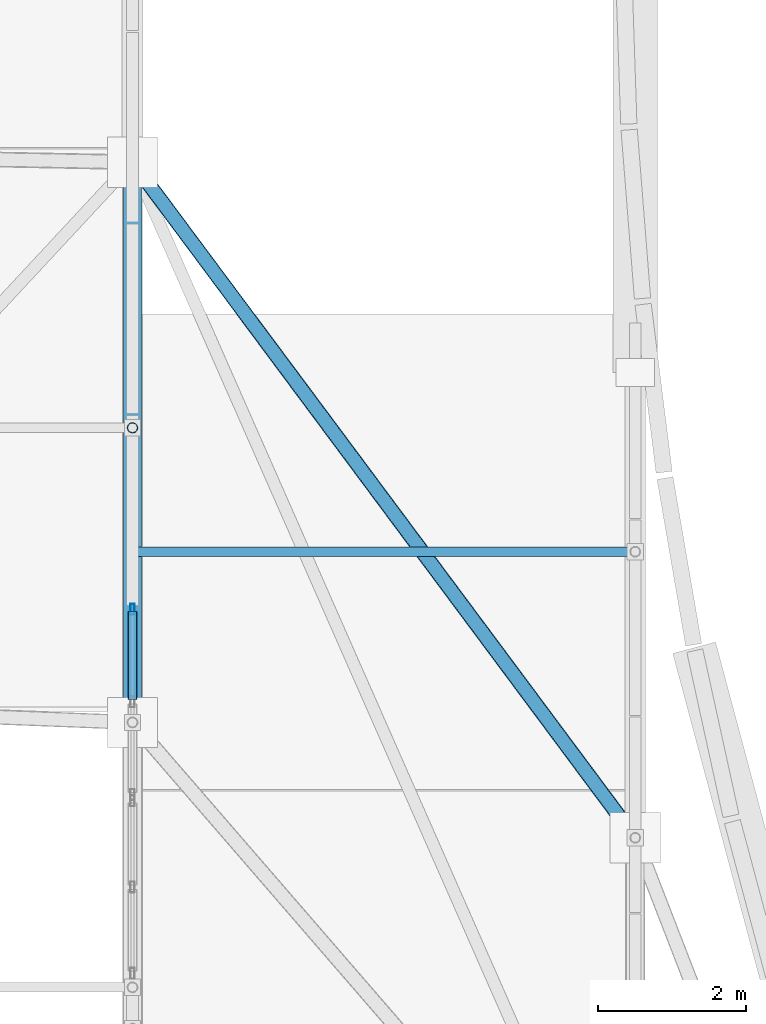
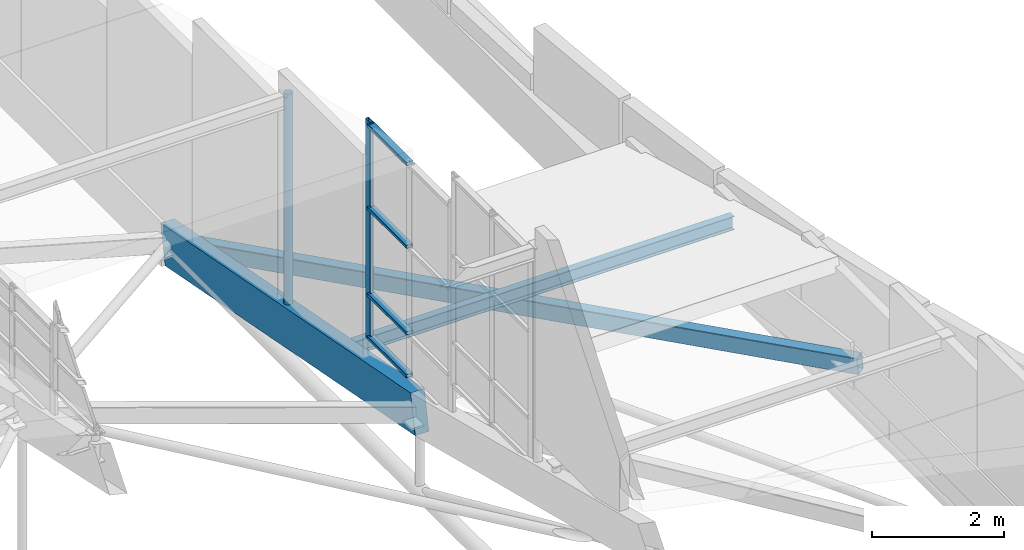
# One storey, part 60 of 188: 9 members, 1 element without a shape of its own.
"""IFC4 building model written with IfcOpenShell, lengths in metres."""

from ifc_helpers import new_model, si_unit, direction, frame, origin, origin_2d, place, context, subcontext, project, spatial, rectangle, hollow_rectangle, hollow_circle, i_section, extrude, material, layer, layer_set, material_profile, profile_set, type_object, element, aggregate, save


model = new_model("IFC4")

# Units and contexts
model_context = context("Model", 3, precision=1e-05, world=origin(), true_north=direction((0.0, 1.0)))
body_context = subcontext(model_context, "Body", "Model", "MODEL_VIEW")
ifc_project = project(units=[si_unit("LENGTHUNIT", "METRE"), si_unit("AREAUNIT", "SQUARE_METRE"), si_unit("VOLUMEUNIT", "CUBIC_METRE"), si_unit("PLANEANGLEUNIT", "RADIAN"), si_unit("MASSUNIT", "GRAM", prefix="KILO")], contexts=[model_context])

# Site, building, storey
site_placement = place(None, origin())
site = spatial("IfcSite", under=ifc_project, at=site_placement, CompositionType="ELEMENT")
building_placement = place(site_placement, origin())
building = spatial("IfcBuilding", under=site, at=building_placement, Name="Kisaragi Civic Commons", CompositionType="ELEMENT")
storey_placement = place(building_placement, frame((0.0, 0.0, 9.60009765625)))
storey = spatial("IfcBuildingStorey", under=building, at=storey_placement, Name="L02", CompositionType="ELEMENT", Elevation=9.60009765625)

# Curtain wall, members
ifc_material_1 = material(Name="Thermally broken anodized aluminium and low-E double glazing", Category="aluminium")
ifc_layer = layer(ifc_material_1, 0.14990234375, Name="Thermally broken anodized aluminium and low-E double glazing", Category="aluminium")
ifc_layer_set = layer_set([ifc_layer], Name="Thermally broken anodized aluminium and low-E double glazing")
curtain_wall_type = type_object("IfcCurtainWallType", Name="CW-03", PredefinedType="NOTDEFINED", material=ifc_layer_set)
curtain_wall_placement = place(storey_placement, origin())
curtain_wall = element("IfcCurtainWall", 1, at=curtain_wall_placement, inside=storey, type_object=curtain_wall_type, Name="L02 curtain wall CW-03 CW-CL-V1-163", PredefinedType="NOTDEFINED")
ifc_material_profile_1 = material_profile(ifc_material_1, hollow_rectangle(XDim=0.06005859375, YDim=0.14990234375, WallThickness=0.00390625, InnerFilletRadius=0.00390625, OuterFilletRadius=0.008056640625, at=origin_2d()), Name="CWM-60x150x4", Category="aluminium")
ifc_profile_set_1 = profile_set([ifc_material_profile_1], Name="Thermally broken anodized aluminium and low-E double glazing")
member_type_1 = type_object("IfcMemberType", Name="CWM-01", PredefinedType="MULLION", material=ifc_profile_set_1)
member_1_placement = place(storey_placement, frame((20.39990234375, 48.775634765625, 1.3857421875), z_axis=(0.0, 0.0, 1.0), x_axis=(-1.0, 0.0, 0.0)))
member_1 = element("IfcMember", 2, at=member_1_placement, type_object=member_type_1, Name="CW-03 mullion 3", PredefinedType="MULLION", context=body_context, shape_type="SweptSolid", body=[
    extrude(hollow_rectangle(XDim=0.06005859375, YDim=0.14990234375, WallThickness=0.00390625, InnerFilletRadius=0.00390625, OuterFilletRadius=0.008056640625, at=origin_2d()), origin(), (0.0, 0.0, 1.0), 4.0419921875),
])
ifc_material_profile_2 = material_profile(ifc_material_1, hollow_rectangle(XDim=0.1201171875, YDim=0.06005859375, WallThickness=0.00390625, InnerFilletRadius=0.00390625, OuterFilletRadius=0.008056640625, at=origin_2d()), Name="CWT-60x120x4", Category="aluminium")
ifc_profile_set_2 = profile_set([ifc_material_profile_2], Name="Thermally broken anodized aluminium and low-E double glazing")
member_type_2 = type_object("IfcMemberType", Name="CWT-01", PredefinedType="USERDEFINED", material=ifc_profile_set_2)
member_2_placement = place(storey_placement, frame((20.39990234375, 47.552490234375, 1.44580078125), z_axis=(0.0, 1.0, 0.0), x_axis=(-1.0, 0.0, 0.0)))
member_2 = element("IfcMember", 3, at=member_2_placement, type_object=member_type_2, Name="CW-03 transom 2.1", ObjectType="TRANSOM", PredefinedType="USERDEFINED", context=body_context, shape_type="SweptSolid", body=[
    extrude(hollow_rectangle(XDim=0.1201171875, YDim=0.06005859375, WallThickness=0.00390625, InnerFilletRadius=0.00390625, OuterFilletRadius=0.008056640625, at=origin_2d()), origin(), (0.0, 0.0, 1.0), 1.193115234375),
])
member_3_placement = place(storey_placement, frame((20.39990234375, 47.552490234375, 2.23583984375), z_axis=(0.0, 1.0, 0.0), x_axis=(-1.0, 0.0, 0.0)))
member_3 = element("IfcMember", 4, at=member_3_placement, type_object=member_type_2, Name="CW-03 transom 2.2", ObjectType="TRANSOM", PredefinedType="USERDEFINED", context=body_context, shape_type="SweptSolid", body=[
    extrude(hollow_rectangle(XDim=0.1201171875, YDim=0.06005859375, WallThickness=0.00390625, InnerFilletRadius=0.00390625, OuterFilletRadius=0.008056640625, at=origin_2d()), origin(), (0.0, 0.0, 1.0), 1.193115234375),
])
member_4_placement = place(storey_placement, frame((20.39990234375, 47.552490234375, 3.835693359375), z_axis=(0.0, 1.0, 0.0), x_axis=(-1.0, 0.0, 0.0)))
member_4 = element("IfcMember", 5, at=member_4_placement, type_object=member_type_2, Name="CW-03 transom 2.3", ObjectType="TRANSOM", PredefinedType="USERDEFINED", context=body_context, shape_type="SweptSolid", body=[
    extrude(hollow_rectangle(XDim=0.1201171875, YDim=0.06005859375, WallThickness=0.00390625, InnerFilletRadius=0.00390625, OuterFilletRadius=0.008056640625, at=origin_2d()), origin(), (0.0, 0.0, 1.0), 1.193115234375),
])
member_5_placement = place(storey_placement, frame((20.39990234375, 47.552490234375, 5.367919921875), z_axis=(0.0, 1.0, 0.0), x_axis=(-1.0, 0.0, 0.0)))
member_5 = element("IfcMember", 6, at=member_5_placement, type_object=member_type_2, Name="CW-03 transom 2.4", ObjectType="TRANSOM", PredefinedType="USERDEFINED", context=body_context, shape_type="SweptSolid", body=[
    extrude(hollow_rectangle(XDim=0.1201171875, YDim=0.06005859375, WallThickness=0.00390625, InnerFilletRadius=0.00390625, OuterFilletRadius=0.008056640625, at=origin_2d()), origin(), (0.0, 0.0, 1.0), 1.193115234375),
])
aggregate(curtain_wall, [member_1, member_2, member_3, member_4, member_5])

# Members
ifc_material_2 = material(Name="Steel SN490 (SN490B)", Category="steel")
ifc_material_profile_3 = material_profile(ifc_material_2, hollow_rectangle(XDim=0.199951171875, YDim=0.300048828125, WallThickness=0.009033203125, InnerFilletRadius=0.009033203125, OuterFilletRadius=0.01806640625, at=origin_2d()), Name="STKR-300x200x9", Category="steel")
ifc_profile_set_3 = profile_set([ifc_material_profile_3], Name="Steel SN490 (SN490B)")
member_type_3 = type_object("IfcMemberType", Name="GC-02", PredefinedType="CHORD", material=ifc_profile_set_3)
member_6_placement = place(storey_placement, frame((20.39990234375, 54.822509765625, -0.49951171875), z_axis=(0.595066779457, -0.79967506391, 0.080095693684), x_axis=(0.802252557923, 0.59698478482, 0.0)))
element("IfcMember", 7, at=member_6_placement, inside=storey, type_object=member_type_3, Name="V1 wave gridshell chord GC-02 28", PredefinedType="CHORD", context=body_context, shape_type="SweptSolid", body=[
    extrude(hollow_rectangle(XDim=0.199951171875, YDim=0.300048828125, WallThickness=0.009033203125, InnerFilletRadius=0.009033203125, OuterFilletRadius=0.01806640625, at=origin_2d()), origin(), (0.0, 0.0, 1.0), 11.427490234375),
])
ifc_material_3 = material(Name="Glulam E120-F330", Category="wood")
ifc_material_profile_4 = material_profile(ifc_material_3, rectangle(XDim=0.239990234375, YDim=0.719970703125, at=origin_2d()), Name="GL-240x720", Category="wood")
ifc_profile_set_4 = profile_set([ifc_material_profile_4], Name="Glulam E120-F330")
member_type_4 = type_object("IfcMemberType", Name="GR-02", PredefinedType="RAFTER", material=ifc_profile_set_4)
member_7_placement = place(storey_placement, frame((20.39990234375, 47.2451171875, 0.951904296875), z_axis=(0.0, 0.982144992407, -0.188125526947), x_axis=(-1.0, 0.0, 0.0)))
element("IfcMember", 8, at=member_7_placement, inside=storey, type_object=member_type_4, Name="V1 glulam arch rib GR-02 31", PredefinedType="RAFTER", context=body_context, shape_type="SweptSolid", body=[
    extrude(rectangle(XDim=0.239990234375, YDim=0.719970703125, at=origin_2d()), origin(), (0.0, 0.0, 1.0), 7.715087890625),
])
ifc_material_4 = material(Name="Steel SN400 (SN400B)", Category="steel")
ifc_material_profile_5 = material_profile(ifc_material_4, i_section(OverallWidth=0.125, OverallDepth=0.25, WebThickness=0.006103515625, FlangeThickness=0.009033203125, FilletRadius=0.008056640625, at=origin_2d()), Name="H-250x125x6x9", Category="steel")
ifc_profile_set_5 = profile_set([ifc_material_profile_5], Name="Steel SN400 (SN400B)")
member_type_5 = type_object("IfcMemberType", Name="PR-01", PredefinedType="PURLIN", material=ifc_profile_set_5)
member_8_placement = place(storey_placement, frame((20.39990234375, 49.5537109375, 0.70751953125), z_axis=(1.0, 0.0, 0.0), x_axis=(0.0, 1.0, 0.0)))
element("IfcMember", 9, at=member_8_placement, inside=storey, type_object=member_type_5, Name="V1 wave vault steel purlin 32", PredefinedType="PURLIN", context=body_context, shape_type="SweptSolid", body=[
    extrude(i_section(OverallWidth=0.125, OverallDepth=0.25, WebThickness=0.006103515625, FlangeThickness=0.009033203125, FilletRadius=0.008056640625, at=origin_2d()), origin(), (0.0, 0.0, 1.0), 6.800048828125),
])
ifc_material_profile_6 = material_profile(ifc_material_2, hollow_circle(Radius=0.06982421875, WallThickness=0.006103515625, at=origin_2d()), Name="CHS-139.8x6.0", Category="steel")
ifc_profile_set_6 = profile_set([ifc_material_profile_6], Name="Steel SN490 (SN490B)")
member_type_6 = type_object("IfcMemberType", Name="ST-H1", PredefinedType="STRUT", material=ifc_profile_set_6)
member_9_placement = place(storey_placement, frame((20.39990234375, 51.22900390625, 0.188720703125), z_axis=(0.0, 0.0, 1.0), x_axis=(1.0, 0.0, 0.0)))
element("IfcMember", 10, at=member_9_placement, inside=storey, type_object=member_type_6, Name="V1 clerestory monitor horizontal tie strut 3.3.7", PredefinedType="STRUT", context=body_context, shape_type="SweptSolid", body=[
    extrude(hollow_circle(Radius=0.06982421875, WallThickness=0.006103515625, at=origin_2d()), origin(), (0.0, 0.0, 1.0), 4.2685546875),
])

save(model, "model.ifc")
